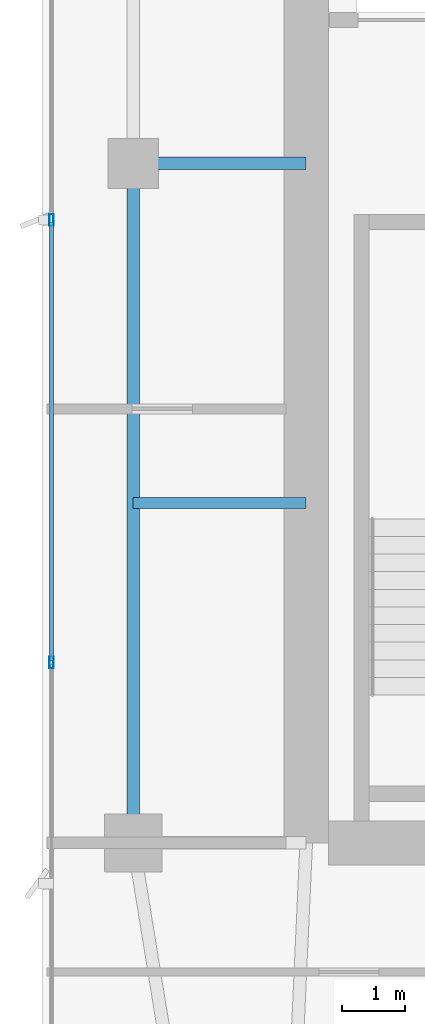
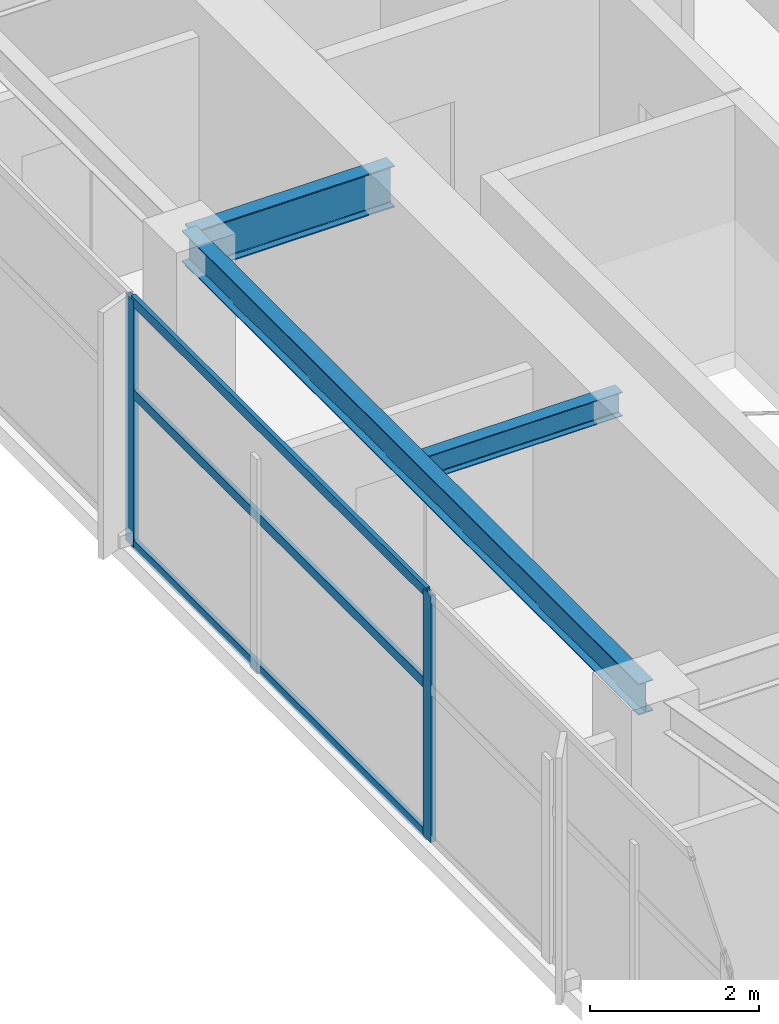
# One storey, part 8 of 30: 5 members, 3 beams, 1 element without a shape of its own.
"""IFC4 building model written with IfcOpenShell, lengths in metres."""

from ifc_helpers import new_model, si_unit, direction, frame, origin, origin_2d, place, context, subcontext, project, spatial, hollow_rectangle, i_section, extrude, material, layer, layer_set, material_profile, profile_set, type_object, element, aggregate, save


model = new_model("IFC4")

# Units and contexts
model_context = context("Model", 3, precision=1e-05, world=origin(), true_north=direction((0.0, 1.0)))
body_context = subcontext(model_context, "Body", "Model", "MODEL_VIEW")
ifc_project = project(units=[si_unit("LENGTHUNIT", "METRE"), si_unit("AREAUNIT", "SQUARE_METRE"), si_unit("VOLUMEUNIT", "CUBIC_METRE"), si_unit("PLANEANGLEUNIT", "RADIAN"), si_unit("MASSUNIT", "GRAM", prefix="KILO")], contexts=[model_context])

# Site, building, storey
site_placement = place(None, origin())
site = spatial("IfcSite", under=ifc_project, at=site_placement, CompositionType="ELEMENT")
building_placement = place(site_placement, origin())
building = spatial("IfcBuilding", under=site, at=building_placement, Name="Calvorn Quay Hotel", CompositionType="ELEMENT")
storey_placement = place(building_placement, frame((0.0, 0.0, 203.39990234375)))
storey = spatial("IfcBuildingStorey", under=building, at=storey_placement, Name="L50", CompositionType="ELEMENT", Elevation=203.39990234375)

# Beams
ifc_material_1 = material(Name="Steel Q355B", Category="steel")
ifc_material_profile_1 = material_profile(ifc_material_1, i_section(OverallWidth=0.199951171875, OverallDepth=0.60009765625, WebThickness=0.010986328125, FlangeThickness=0.01708984375, FilletRadius=0.01806640625, at=origin_2d()), Name="HN600x200x11x17")
ifc_profile_set_1 = profile_set([ifc_material_profile_1], Name="Steel Q355B")
beam_type_1 = type_object("IfcBeamType", Name="BM-GIRD-TYP", PredefinedType="BEAM", material=ifc_profile_set_1)
beam_1_placement = place(storey_placement, frame((1.449951171875, 27.60009765625, 3.239990234375), z_axis=(1.0, 0.0, 0.0), x_axis=(0.0, 1.0, 0.0)))
element("IfcBeam", 1, at=beam_1_placement, inside=storey, type_object=beam_type_1, Name="Beam BG-L50-W2", PredefinedType="BEAM", context=body_context, shape_type="SweptSolid", body=[
    extrude(i_section(OverallWidth=0.199951171875, OverallDepth=0.60009765625, WebThickness=0.010986328125, FlangeThickness=0.01708984375, FilletRadius=0.01806640625, at=origin_2d()), origin(), (0.0, 0.0, 1.0), 2.75),
])
ifc_material_2 = material(Name="Steel Q355B", Category="steel")
ifc_material_profile_2 = material_profile(ifc_material_2, i_section(OverallWidth=0.175048828125, OverallDepth=0.35009765625, WebThickness=0.007080078125, FlangeThickness=0.010986328125, FilletRadius=0.013916015625, at=origin_2d()), Name="HN350x175x7x11")
ifc_profile_set_2 = profile_set([ifc_material_profile_2], Name="Steel Q355B")
beam_type_2 = type_object("IfcBeamType", Name="BM-JOIST-SEC", PredefinedType="JOIST", material=ifc_profile_set_2)
beam_2_placement = place(storey_placement, frame((1.449951171875, 22.199951171875, 3.364990234375), z_axis=(1.0, 0.0, 0.0), x_axis=(0.0, 1.0, 0.0)))
element("IfcBeam", 2, at=beam_2_placement, inside=storey, type_object=beam_type_2, Name="Beam BJ-L50-W3", PredefinedType="JOIST", context=body_context, shape_type="SweptSolid", body=[
    extrude(i_section(OverallWidth=0.175048828125, OverallDepth=0.35009765625, WebThickness=0.007080078125, FlangeThickness=0.010986328125, FilletRadius=0.013916015625, at=origin_2d()), origin(), (0.0, 0.0, 1.0), 2.75),
])
ifc_material_3 = material(Name="Steel Q355B", Category="steel")
ifc_material_profile_3 = material_profile(ifc_material_3, i_section(OverallWidth=0.199951171875, OverallDepth=0.449951171875, WebThickness=0.009033203125, FlangeThickness=0.013916015625, FilletRadius=0.01611328125, at=origin_2d()), Name="HN450x200x9x14")
ifc_profile_set_3 = profile_set([ifc_material_profile_3], Name="Steel Q355B")
beam_type_3 = type_object("IfcBeamType", Name="BM-SPANDREL-Z3", PredefinedType="SPANDREL", material=ifc_profile_set_3)
beam_3_placement = place(storey_placement, frame((1.449951171875, 16.800048828125, 3.315185546875), z_axis=(0.0, 1.0, 0.0), x_axis=(-1.0, 0.0, 0.0)))
element("IfcBeam", 3, at=beam_3_placement, inside=storey, type_object=beam_type_3, Name="Beam BSP-L50-W2", PredefinedType="SPANDREL", context=body_context, shape_type="SweptSolid", body=[
    extrude(i_section(OverallWidth=0.199951171875, OverallDepth=0.449951171875, WebThickness=0.009033203125, FlangeThickness=0.013916015625, FilletRadius=0.01611328125, at=origin_2d()), origin(), (0.0, 0.0, 1.0), 10.800048828125),
])

# Curtain wall, members
ifc_material_4 = material(Name="Champagne Bronze Anodised Aluminium and Low-E Glass", Category="aluminium")
ifc_layer = layer(ifc_material_4, 0.219970703125)
ifc_layer_set = layer_set([ifc_layer], Name="CW-SYS-Z3")
curtain_wall_type = type_object("IfcCurtainWallType", Name="CW-SYS-Z3", PredefinedType="NOTDEFINED", material=ifc_layer_set)
curtain_wall_placement = place(storey_placement, origin())
curtain_wall = element("IfcCurtainWall", 4, at=curtain_wall_placement, inside=storey, type_object=curtain_wall_type, Name="Tower West Curtain Wall (L50)", PredefinedType="NOTDEFINED")
ifc_material_5 = material(Name="Champagne Bronze Anodised Aluminium 6063-T6", Category="aluminium")
ifc_material_profile_4 = material_profile(ifc_material_5, hollow_rectangle(XDim=0.068115234375, YDim=0.18505859375, WallThickness=0.00390625, at=origin_2d()), Name="ALU-M185x68x4")
ifc_profile_set_4 = profile_set([ifc_material_profile_4], Name="Champagne Bronze Anodised Aluminium 6063-T6")
member_type_1 = type_object("IfcMemberType", Name="CW-SYS-Z3-MUL", PredefinedType="MULLION", material=ifc_profile_set_4)
member_1_placement = place(storey_placement, frame((0.14990234375, 19.666748046875, 0.0), z_axis=(0.0, 0.0, 1.0), x_axis=(-1.0, 0.0, 0.0)))
member_1 = element("IfcMember", 5, at=member_1_placement, type_object=member_type_1, Name="CW-L50-W mullion 3", PredefinedType="MULLION", context=body_context, shape_type="SweptSolid", body=[
    extrude(hollow_rectangle(XDim=0.068115234375, YDim=0.18505859375, WallThickness=0.00390625, at=origin_2d()), origin(), (0.0, 0.0, 1.0), 3.56005859375),
])
member_2_placement = place(storey_placement, frame((0.14990234375, 26.699951171875, 0.0), z_axis=(0.0, 0.0, 1.0), x_axis=(-1.0, 0.0, 0.0)))
member_2 = element("IfcMember", 6, at=member_2_placement, type_object=member_type_1, Name="CW-L50-W mullion 4", PredefinedType="MULLION", context=body_context, shape_type="SweptSolid", body=[
    extrude(hollow_rectangle(XDim=0.068115234375, YDim=0.18505859375, WallThickness=0.00390625, at=origin_2d()), origin(), (0.0, 0.0, 1.0), 3.56005859375),
])
ifc_material_6 = material(Name="Champagne Bronze Anodised Aluminium 6063-T6", Category="aluminium")
ifc_material_profile_5 = material_profile(ifc_material_6, hollow_rectangle(XDim=0.05810546875, YDim=0.139892578125, WallThickness=0.003173828125, at=origin_2d()), Name="ALU-T140x58x3.2")
ifc_profile_set_5 = profile_set([ifc_material_profile_5], Name="Champagne Bronze Anodised Aluminium 6063-T6")
member_type_2 = type_object("IfcMemberType", Name="CW-SYS-Z3-TRN", PredefinedType="USERDEFINED", material=ifc_profile_set_5)
member_3_placement = place(storey_placement, frame((0.14990234375, 19.69677734375, 0.030029296875), z_axis=(0.0, 1.0, 0.0), x_axis=(-1.0, 0.0, 0.0)))
member_3 = element("IfcMember", 7, at=member_3_placement, type_object=member_type_2, Name="CW-L50-W transom 3.1", ObjectType="TRANSOM", PredefinedType="USERDEFINED", context=body_context, shape_type="SweptSolid", body=[
    extrude(hollow_rectangle(XDim=0.05810546875, YDim=0.139892578125, WallThickness=0.003173828125, at=origin_2d()), origin(), (0.0, 0.0, 1.0), 6.97314453125),
])
member_4_placement = place(storey_placement, frame((0.14990234375, 19.69677734375, 2.2001953125), z_axis=(0.0, 1.0, 0.0), x_axis=(-1.0, 0.0, 0.0)))
member_4 = element("IfcMember", 8, at=member_4_placement, type_object=member_type_2, Name="CW-L50-W transom 3.2", ObjectType="TRANSOM", PredefinedType="USERDEFINED", context=body_context, shape_type="SweptSolid", body=[
    extrude(hollow_rectangle(XDim=0.05810546875, YDim=0.139892578125, WallThickness=0.003173828125, at=origin_2d()), origin(), (0.0, 0.0, 1.0), 6.97314453125),
])
member_5_placement = place(storey_placement, frame((0.14990234375, 19.69677734375, 3.530029296875), z_axis=(0.0, 1.0, 0.0), x_axis=(-1.0, 0.0, 0.0)))
member_5 = element("IfcMember", 9, at=member_5_placement, type_object=member_type_2, Name="CW-L50-W transom 3.3", ObjectType="TRANSOM", PredefinedType="USERDEFINED", context=body_context, shape_type="SweptSolid", body=[
    extrude(hollow_rectangle(XDim=0.05810546875, YDim=0.139892578125, WallThickness=0.003173828125, at=origin_2d()), origin(), (0.0, 0.0, 1.0), 6.97314453125),
])
aggregate(curtain_wall, [member_1, member_2, member_3, member_4, member_5])

save(model, "model.ifc")
